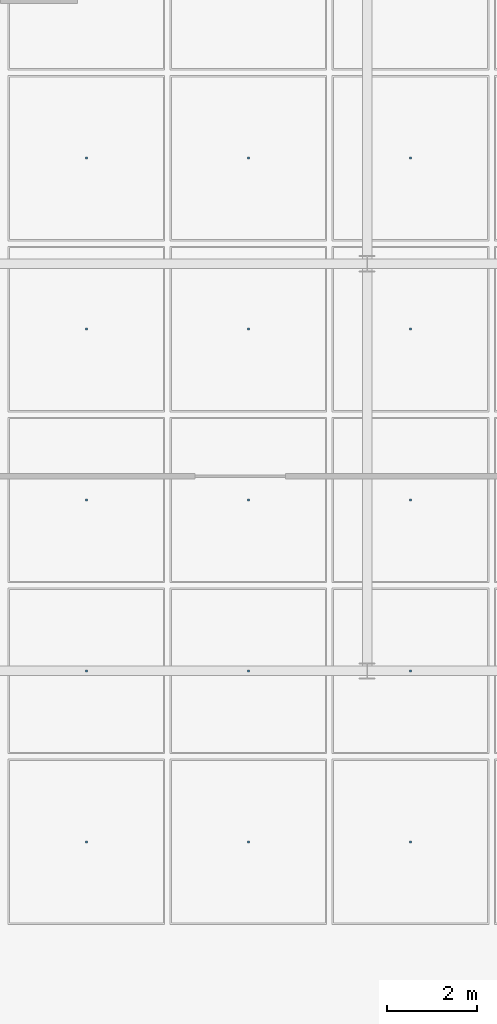
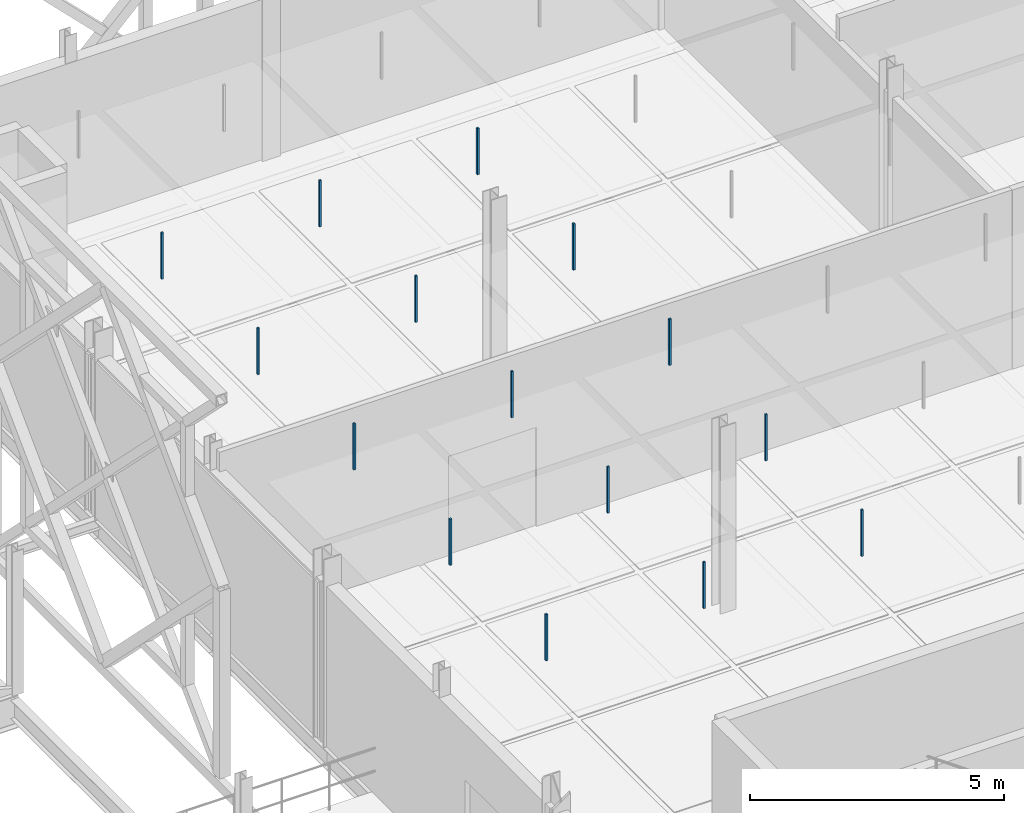
# One storey, part 96 of 140: 15 discrete accessories.
"""IFC4 building model written with IfcOpenShell, lengths in metres."""

from ifc_helpers import new_model, si_unit, direction, frame, origin, origin_2d, place, context, subcontext, project, spatial, rectangle, extrude, material, type_object, element, save


model = new_model("IFC4")

# Units and contexts
model_context = context("Model", 3, precision=1e-05, world=origin(), true_north=direction((0.0, 1.0)))
body_context = subcontext(model_context, "Body", "Model", "MODEL_VIEW")
ifc_project = project(units=[si_unit("LENGTHUNIT", "METRE"), si_unit("AREAUNIT", "SQUARE_METRE"), si_unit("VOLUMEUNIT", "CUBIC_METRE"), si_unit("PLANEANGLEUNIT", "RADIAN"), si_unit("MASSUNIT", "GRAM", prefix="KILO"), si_unit("THERMODYNAMICTEMPERATUREUNIT", "KELVIN"), si_unit("POWERUNIT", "WATT")], contexts=[model_context])

# Site, building, storey
site_placement = place(None, origin())
site = spatial("IfcSite", under=ifc_project, at=site_placement, CompositionType="ELEMENT")
building_placement = place(site_placement, origin())
building = spatial("IfcBuilding", under=site, at=building_placement, Name="Tallowbark Science Centre", CompositionType="ELEMENT")
storey_placement = place(building_placement, frame((0.0, 0.0, 9.89990234375)))
storey = spatial("IfcBuildingStorey", under=building, at=storey_placement, Name="L02", CompositionType="ELEMENT", Elevation=9.89990234375)

# Discrete accessories
ifc_material = material(Name="Galvanised Steel Grade C350L0 (350 MPa)", Category="steel")
discrete_accessory_type = type_object("IfcDiscreteAccessoryType", Name="ACC-CLG-HNG", PredefinedType="BRACKET", material=ifc_material)
for number, where, z_axis, x_axis, name in (
    (1, (61.291748046875, 18.72216796875, 3.20947265625), (0.0, 0.0, 1.0), (1.0, 0.0, 0.0), "Ceiling Hanger Bracket L02-768"),
    (2, (61.291748046875, 22.5, 3.20947265625), (0.0, 0.0, 1.0), (1.0, 0.0, 0.0), "Ceiling Hanger Bracket L02-769"),
    (3, (61.291748046875, 26.27783203125, 3.20947265625), (0.0, 0.0, 1.0), (1.0, 0.0, 0.0), "Ceiling Hanger Bracket L02-770"),
    (4, (61.291748046875, 30.0556640625, 3.20947265625), (0.0, 0.0, 1.0), (1.0, 0.0, 0.0), "Ceiling Hanger Bracket L02-771"),
    (5, (61.291748046875, 33.833251953125, 3.20947265625), (0.0, 0.0, 1.0), (1.0, 0.0, 0.0), "Ceiling Hanger Bracket L02-772"),
    (6, (64.875, 18.72216796875, 3.20947265625), (0.0, 0.0, 1.0), (1.0, 0.0, 0.0), "Ceiling Hanger Bracket L02-774"),
    (7, (64.875, 22.5, 3.20947265625), (0.0, 0.0, 1.0), (1.0, 0.0, 0.0), "Ceiling Hanger Bracket L02-775"),
    (8, (64.875, 26.27783203125, 3.20947265625), (0.0, 0.0, 1.0), (1.0, 0.0, 0.0), "Ceiling Hanger Bracket L02-776"),
    (9, (64.875, 30.0556640625, 3.20947265625), (0.0, 0.0, 1.0), (1.0, 0.0, 0.0), "Ceiling Hanger Bracket L02-777"),
    (10, (64.875, 33.833251953125, 3.20947265625), (0.0, 0.0, 1.0), (1.0, 0.0, 0.0), "Ceiling Hanger Bracket L02-778"),
    (11, (68.458251953125, 18.72216796875, 3.20947265625), (0.0, 0.0, 1.0), (1.0, 0.0, 0.0), "Ceiling Hanger Bracket L02-780"),
    (12, (68.458251953125, 22.5, 3.20947265625), (0.0, 0.0, 1.0), (1.0, 0.0, 0.0), "Ceiling Hanger Bracket L02-781"),
    (13, (68.458251953125, 26.27783203125, 3.20947265625), (0.0, 0.0, 1.0), (1.0, 0.0, 0.0), "Ceiling Hanger Bracket L02-782"),
    (14, (68.458251953125, 30.0556640625, 3.20947265625), (0.0, 0.0, 1.0), (1.0, 0.0, 0.0), "Ceiling Hanger Bracket L02-783"),
    (15, (68.458251953125, 33.833251953125, 3.20947265625), (0.0, 0.0, 1.0), (1.0, 0.0, 0.0), "Ceiling Hanger Bracket L02-784"),
):
    element("IfcDiscreteAccessory", number, at=place(storey_placement, frame(where, z_axis=z_axis, x_axis=x_axis)), inside=storey, type_object=discrete_accessory_type, Name=name, PredefinedType="BRACKET", context=body_context, shape_type="SweptSolid", body=[
        extrude(rectangle(XDim=0.044921875, YDim=0.044921875, at=origin_2d()), origin(), (0.0, 0.0, 1.0), 1.113525390625),
    ])

save(model, "model.ifc")
